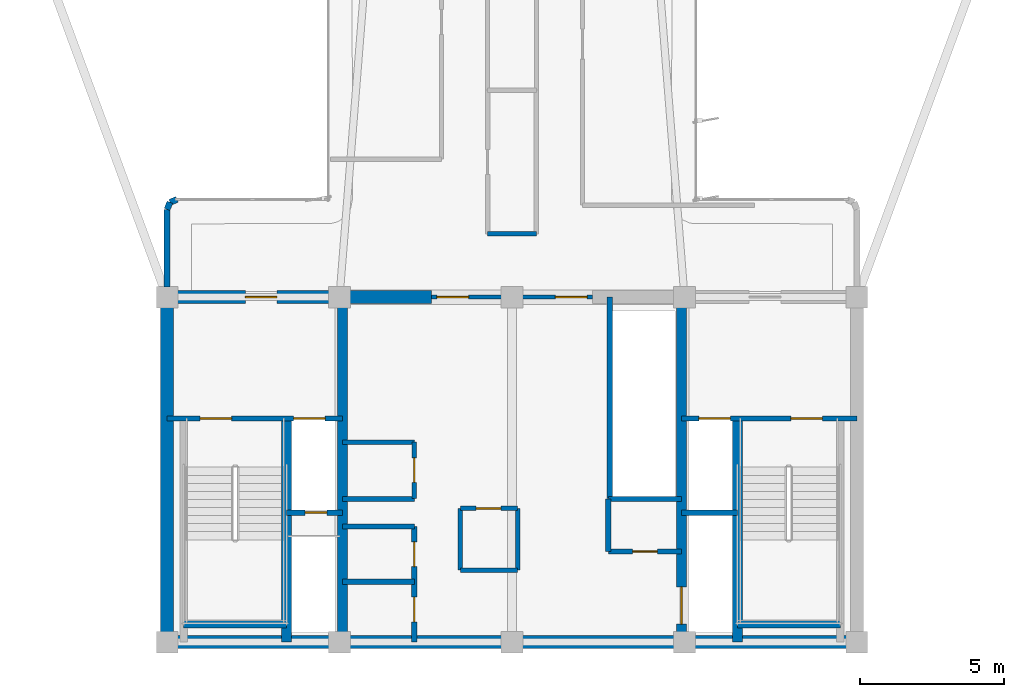
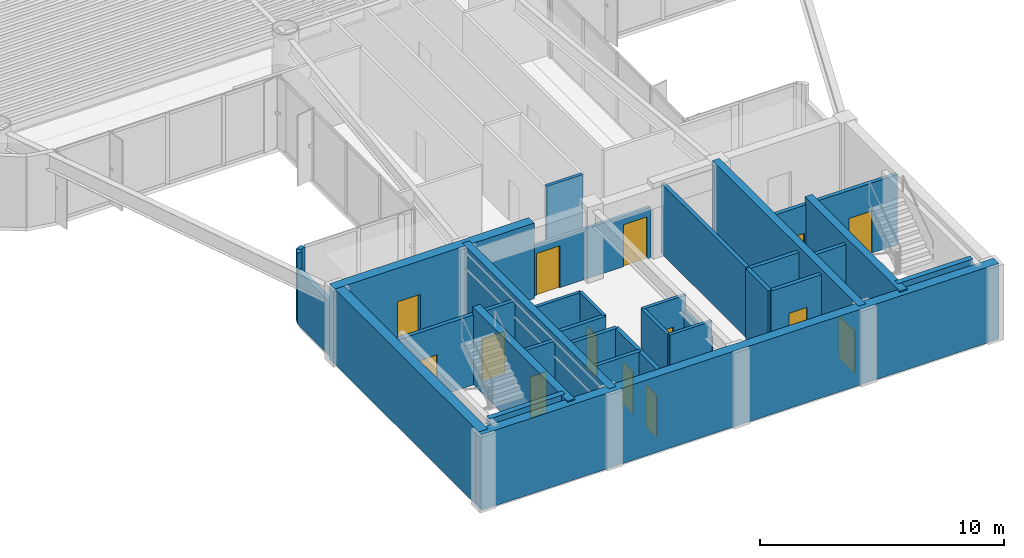
# One storey, part 9 of 13: 32 walls, 14 doors, 14 openings.
"""IFC4 building model written with IfcOpenShell, lengths in metres."""

from ifc_helpers import new_model, si_unit, direction, frame, frame_2d, origin, origin_2d, place, context, subcontext, project, spatial, rectangle, extrude, source, transform, mapped, material, layer, layer_set, type_object, element, fill, save


model = new_model("IFC4")

# Units and contexts
model_context = context("Model", 3, precision=1e-05, world=origin(), true_north=direction((0.0, 1.0)))
body_context = subcontext(model_context, "Body", "Model", "MODEL_VIEW")
ifc_project = project(units=[si_unit("LENGTHUNIT", "METRE"), si_unit("AREAUNIT", "SQUARE_METRE"), si_unit("VOLUMEUNIT", "CUBIC_METRE"), si_unit("PLANEANGLEUNIT", "RADIAN"), si_unit("MASSUNIT", "GRAM", prefix="KILO")], contexts=[model_context])

# Site, building, storey
site_placement = place(None, origin())
site = spatial("IfcSite", under=ifc_project, at=site_placement, CompositionType="ELEMENT")
building_placement = place(site_placement, origin())
building = spatial("IfcBuilding", under=site, at=building_placement, Name="Brelvock Crest Care Tower", CompositionType="ELEMENT")
storey_placement = place(building_placement, frame((0.0, 0.0, 190.43994140625)))
storey = spatial("IfcBuildingStorey", under=building, at=storey_placement, Name="L48", CompositionType="ELEMENT", Elevation=190.43994140625)

# Walls
ifc_material_1 = material(Name="Concrete S65 (65 MPa)", Category="concrete")
ifc_layer_1 = layer(ifc_material_1, 0.449951171875, Name="WL-CS3")
ifc_layer_set_1 = layer_set([ifc_layer_1], Name="Concrete S65 (65 MPa)")
wall_type_1 = type_object("IfcWallType", Name="WL-CS3", PredefinedType="SHEAR", material=ifc_layer_set_1)
wall_1_placement = place(storey_placement, frame((48.22509765625, 6.0, 0.0), z_axis=(0.0, 0.0, 1.0), x_axis=(-1.0, 0.0, 0.0)))
element("IfcWall", 1, at=wall_1_placement, inside=storey, type_object=wall_type_1, Name="L48 Core South Shear Wall", PredefinedType="SHEAR", context=body_context, shape_type="SweptSolid", body=[
    extrude(rectangle(XDim=24.4501953125, YDim=0.449951171875, at=frame_2d((12.22509765625, 0.0))), origin(), (0.0, 0.0, 1.0), 3.780029296875),
])
wall_2_placement = place(storey_placement, frame((24.0, 6.0, 0.0), z_axis=(0.0, 0.0, 1.0), x_axis=(0.0, 1.0, 0.0)))
element("IfcWall", 2, at=wall_2_placement, inside=storey, type_object=wall_type_1, Name="L48 Core West Shear Wall", PredefinedType="SHEAR", context=body_context, shape_type="SweptSolid", body=[
    extrude(rectangle(XDim=12.0, YDim=0.449951171875, at=frame_2d((6.0, 0.0))), origin(), (0.0, 0.0, 1.0), 3.780029296875),
])

# Wall, opening, door
wall_3_placement = place(storey_placement, frame((23.77490234375, 18.0, 0.0), z_axis=(0.0, 0.0, 1.0), x_axis=(1.0, 0.0, 0.0)))
wall_3 = element("IfcWall", 3, at=wall_3_placement, inside=storey, type_object=wall_type_1, Name="L48 Core North-West Shear Wall", PredefinedType="SHEAR", context=body_context, shape_type="SweptSolid", body=[
    extrude(rectangle(XDim=9.425048828125, YDim=0.449951171875, at=frame_2d((4.71240234375, 0.0))), origin(), (0.0, 0.0, 1.0), 3.780029296875),
])
opening_1_placement = place(wall_3_placement, frame((2.949951171875, 0.0, 0.0)))
opening_1 = element("IfcOpeningElement", 4, at=opening_1_placement, cuts=wall_3, Name="Opening FD-1", PredefinedType="OPENING", context=body_context, shape_type="SweptSolid", body=[
    extrude(rectangle(XDim=1.10009765625, YDim=2.10009765625, at=origin_2d()), frame((0.550048828125, 0.23486328125, 1.050048828125), z_axis=(0.0, -1.0, 0.0), x_axis=(1.0, 0.0, 0.0)), (0.0, 0.0, 1.0), 0.469970703125),
])
ifc_material_2 = material(Name="Steel Grade 350", Category="steel")
door_type_1 = type_object("IfcDoorType", Name="DR-FFL1", OperationType="NOTDEFINED", PredefinedType="DOOR", material=ifc_material_2)
shared_shape_1 = source(origin(), body_context, "Body", "SweptSolid", [
    extrude(rectangle(XDim=1.10009765625, YDim=2.10009765625, at=origin_2d()), frame((0.550048828125, 0.02490234375, 1.050048828125), z_axis=(0.0, -1.0, 0.0), x_axis=(1.0, 0.0, 0.0)), (0.0, 0.0, 1.0), 0.050048828125),
])
door_1_placement = place(opening_1_placement, origin())
door_1 = element("IfcDoor", 5, at=door_1_placement, inside=storey, type_object=door_type_1, Name="L48 Firefighting Lobby FFL-1 Exit Door", OperationType="SINGLE_SWING_LEFT", OverallHeight=2.10009765625, OverallWidth=1.10009765625, PredefinedType="DOOR", context=body_context, shape_type="MappedRepresentation", body=[
    mapped(shared_shape_1, transform((0.0, 0.0, 0.0), x_axis=(1.0, 0.0, 0.0), y_axis=(0.0, 1.0, 0.0), z_axis=(0.0, 0.0, 1.0), scale=1.0)),
])
fill(opening_1, door_1)

# Wall
ifc_material_3 = material(Name="Concrete S80 (80 MPa)", Category="concrete")
ifc_layer_2 = layer(ifc_material_3, 0.35009765625, Name="WL-CS5")
ifc_layer_set_2 = layer_set([ifc_layer_2], Name="Concrete S80 (80 MPa)")
wall_type_2 = type_object("IfcWallType", Name="WL-CS5", PredefinedType="SHEAR", material=ifc_layer_set_2)
wall_4_placement = place(storey_placement, frame((30.10009765625, 6.0, 0.0), z_axis=(0.0, 0.0, 1.0), x_axis=(0.0, 1.0, 0.0)))
element("IfcWall", 6, at=wall_4_placement, inside=storey, type_object=wall_type_2, Name="L48 Core Internal Web Wall West", PredefinedType="SHEAR", context=body_context, shape_type="SweptSolid", body=[
    extrude(rectangle(XDim=12.0, YDim=0.35009765625, at=frame_2d((6.0, 0.0))), origin(), (0.0, 0.0, 1.0), 3.780029296875),
])

# Wall, opening, door
wall_5_placement = place(storey_placement, frame((41.89990234375, 18.0, 0.0), z_axis=(0.0, 0.0, 1.0), x_axis=(0.0, -1.0, 0.0)))
wall_5 = element("IfcWall", 7, at=wall_5_placement, inside=storey, type_object=wall_type_2, Name="L48 Core Internal Web Wall East", PredefinedType="SHEAR", context=body_context, shape_type="SweptSolid", body=[
    extrude(rectangle(XDim=12.0, YDim=0.35009765625, at=frame_2d((6.0, 0.0))), origin(), (0.0, 0.0, 1.0), 3.780029296875),
])
opening_2_placement = place(wall_5_placement, frame((10.080078125, 0.0, 0.0)))
opening_2 = element("IfcOpeningElement", 8, at=opening_2_placement, cuts=wall_5, Name="Opening LD-S", PredefinedType="OPENING", context=body_context, shape_type="SweptSolid", body=[
    extrude(rectangle(XDim=1.300048828125, YDim=2.10009765625, at=origin_2d()), frame((0.64990234375, 0.18505859375, 1.050048828125), z_axis=(0.0, -1.0, 0.0), x_axis=(1.0, 0.0, 0.0)), (0.0, 0.0, 1.0), 0.3701171875),
])
door_type_2 = type_object("IfcDoorType", Name="DR-LDS1", OperationType="NOTDEFINED", PredefinedType="DOOR", material=ifc_material_2)
shared_shape_2 = source(origin(), body_context, "Body", "SweptSolid", [
    extrude(rectangle(XDim=1.300048828125, YDim=2.10009765625, at=origin_2d()), frame((0.64990234375, 0.02490234375, 1.050048828125), z_axis=(0.0, -1.0, 0.0), x_axis=(1.0, 0.0, 0.0)), (0.0, 0.0, 1.0), 0.050048828125),
])
door_2_placement = place(opening_2_placement, origin())
door_2 = element("IfcDoor", 9, at=door_2_placement, inside=storey, type_object=door_type_2, Name="L48 Clinical Bed Lift SL-1 Landing Door", OperationType="SLIDING_TO_LEFT", OverallHeight=2.10009765625, OverallWidth=1.300048828125, PredefinedType="DOOR", context=body_context, shape_type="MappedRepresentation", body=[
    mapped(shared_shape_2, transform((0.0, 0.0, 0.0), x_axis=(1.0, 0.0, 0.0), y_axis=(0.0, 1.0, 0.0), z_axis=(0.0, 0.0, 1.0), scale=1.0)),
])
fill(opening_2, door_2)

# Walls
for number, where, z_axis, x_axis, name in (
    (10, (28.14990234375, 6.0, 0.0), (0.0, 0.0, 1.0), (0.0, 1.0, 0.0), "L48 Core Stair ST-1 East Shear Wall"),
    (11, (43.85009765625, 6.0, 0.0), (0.0, 0.0, 1.0), (0.0, 1.0, 0.0), "L48 Core Stair ST-2 West Shear Wall"),
):
    element("IfcWall", number, at=place(storey_placement, frame(where, z_axis=z_axis, x_axis=x_axis)), inside=storey, type_object=wall_type_2, Name=name, PredefinedType="SHEAR", context=body_context, shape_type="SweptSolid", body=[
        extrude(rectangle(XDim=7.780029296875, YDim=0.35009765625, at=frame_2d((3.89013671875, 0.0))), origin(), (0.0, 0.0, 1.0), 3.85009765625),
    ])
ifc_layer_3 = layer(ifc_material_3, 0.25, Name="WL-CS6")
ifc_layer_set_3 = layer_set([ifc_layer_3], Name="Concrete S80 (80 MPa)")
wall_type_3 = type_object("IfcWallType", Name="WL-CS6", PredefinedType="SHEAR", material=ifc_layer_set_3)
for number, where, z_axis, x_axis, name in (
    (12, (24.580078125, 6.6201171875, 0.0), (0.0, 0.0, 1.0), (1.0, 0.0, 0.0), "L48 Core Stair ST-1 South Shear Wall"),
    (13, (43.85009765625, 6.6201171875, 0.0), (0.0, 0.0, 1.0), (1.0, 0.0, 0.0), "L48 Core Stair ST-2 South Shear Wall"),
):
    element("IfcWall", number, at=place(storey_placement, frame(where, z_axis=z_axis, x_axis=x_axis)), inside=storey, type_object=wall_type_3, Name=name, PredefinedType="SHEAR", context=body_context, shape_type="SweptSolid", body=[
        extrude(rectangle(XDim=3.56982421875, YDim=0.25, at=frame_2d((1.784912109375, 0.0))), origin(), (0.0, 0.0, 1.0), 3.85009765625),
    ])
ifc_material_4 = material(Name="Precast concrete N40 (40 MPa)", Category="concrete")
ifc_layer_4 = layer(ifc_material_4, 0.215087890625, Name="WL-EX2")
ifc_layer_set_4 = layer_set([ifc_layer_4], Name="Precast concrete N40 (40 MPa)")
wall_type_4 = type_object("IfcWallType", Name="WL-EX2", PredefinedType="SOLIDWALL", material=ifc_layer_set_4)
wall_6_placement = place(storey_placement, frame((24.0, 18.35498046875, 0.0), z_axis=(0.0, 0.0, 1.0), x_axis=(0.0, 1.0, 0.0)))
element("IfcWall", 14, at=wall_6_placement, inside=storey, type_object=wall_type_4, Name="L48 Rounded Corner Wall 07", PredefinedType="SOLIDWALL", context=body_context, shape_type="SweptSolid", body=[
    extrude(rectangle(XDim=2.695068359375, YDim=0.215087890625, at=frame_2d((1.34765625, 0.0))), origin(), (0.0, 0.0, 1.0), 2.718017578125),
])
wall_7_placement = place(storey_placement, frame((24.0, 21.050048828125, 0.0), z_axis=(0.0, 0.0, 1.0), x_axis=(0.382673670509, 0.923883575944, 0.0)))
element("IfcWall", 15, at=wall_7_placement, inside=storey, type_object=wall_type_4, Name="L48 Rounded Corner Wall 08", PredefinedType="SOLIDWALL", context=body_context, shape_type="SweptSolid", body=[
    extrude(rectangle(XDim=0.26806640625, YDim=0.215087890625, at=frame_2d((0.134033203125, 0.0))), origin(), (0.0, 0.0, 1.0), 3.530029296875),
])
wall_8_placement = place(storey_placement, frame((24.1025390625, 21.297607421875, 0.0), z_axis=(0.0, 0.0, 1.0), x_axis=(0.924205486139, 0.381895560841, 0.0)))
element("IfcWall", 16, at=wall_8_placement, inside=storey, type_object=wall_type_4, Name="L48 Rounded Corner Wall 09", PredefinedType="SOLIDWALL", context=body_context, shape_type="SweptSolid", body=[
    extrude(rectangle(XDim=0.267822265625, YDim=0.215087890625, at=frame_2d((0.1337890625, 0.0))), origin(), (0.0, 0.0, 1.0), 3.530029296875),
])
ifc_material_5 = material(Name="Masonry Blockwork Acoustic Partition", Category="masonry")
ifc_layer_5 = layer(ifc_material_5, 0.14990234375, Name="WL-INT1")
ifc_layer_set_5 = layer_set([ifc_layer_5], Name="Masonry Blockwork Acoustic Partition")
wall_type_5 = type_object("IfcWallType", Name="WL-INT1", PredefinedType="PARTITIONING", material=ifc_layer_set_5)
wall_9_placement = place(storey_placement, frame((30.10009765625, 12.949951171875, 0.0), z_axis=(0.0, 0.0, 1.0), x_axis=(1.0, 0.0, 0.0)))
element("IfcWall", 17, at=wall_9_placement, inside=storey, type_object=wall_type_5, Name="L48 Interior Wall WL-CRCL-N2-L48", PredefinedType="PARTITIONING", context=body_context, shape_type="SweptSolid", body=[
    extrude(rectangle(XDim=2.5, YDim=0.14990234375, at=frame_2d((1.25, 0.0))), origin(), (0.0, 0.0, 1.0), 3.5),
])

# Wall, opening, door
wall_10_placement = place(storey_placement, frame((32.60009765625, 11.0, 0.0), z_axis=(0.0, 0.0, 1.0), x_axis=(0.0, 1.0, 0.0)))
wall_10 = element("IfcWall", 18, at=wall_10_placement, inside=storey, type_object=wall_type_5, Name="L48 Interior Wall WL-CRCL-E-L48", PredefinedType="PARTITIONING", context=body_context, shape_type="SweptSolid", body=[
    extrude(rectangle(XDim=1.949951171875, YDim=0.14990234375, at=frame_2d((0.97509765625, 0.0))), origin(), (0.0, 0.0, 1.0), 3.5),
])
opening_3_placement = place(wall_10_placement, frame((0.550048828125, 0.0, 0.0)))
opening_3 = element("IfcOpeningElement", 19, at=opening_3_placement, cuts=wall_10, Name="Opening ID-1", PredefinedType="OPENING", context=body_context, shape_type="SweptSolid", body=[
    extrude(rectangle(XDim=0.860107421875, YDim=2.10009765625, at=origin_2d()), frame((0.43017578125, 0.0849609375, 1.050048828125), z_axis=(0.0, -1.0, 0.0), x_axis=(1.0, 0.0, 0.0)), (0.0, 0.0, 1.0), 0.169921875),
])
ifc_material_6 = material(Name="Engineered Hardwood Timber", Category="wood")
door_type_3 = type_object("IfcDoorType", Name="DR-INT1", OperationType="NOTDEFINED", PredefinedType="DOOR", material=ifc_material_6)
shared_shape_3 = source(origin(), body_context, "Body", "SweptSolid", [
    extrude(rectangle(XDim=0.860107421875, YDim=2.10009765625, at=origin_2d()), frame((0.43017578125, 0.02490234375, 1.050048828125), z_axis=(0.0, -1.0, 0.0), x_axis=(1.0, 0.0, 0.0)), (0.0, 0.0, 1.0), 0.050048828125),
])
door_3_placement = place(opening_3_placement, origin())
door_3 = element("IfcDoor", 20, at=door_3_placement, inside=storey, type_object=door_type_3, Name="DR-CRCL1-L48", OperationType="SINGLE_SWING_LEFT", OverallHeight=2.10009765625, OverallWidth=0.860107421875, PredefinedType="DOOR", context=body_context, shape_type="MappedRepresentation", body=[
    mapped(shared_shape_3, transform((0.0, 0.0, 0.0), x_axis=(1.0, 0.0, 0.0), y_axis=(0.0, 1.0, 0.0), z_axis=(0.0, 0.0, 1.0), scale=1.0)),
])
fill(opening_3, door_3)

# Walls
wall_11_placement = place(storey_placement, frame((34.199951171875, 8.5, 0.0), z_axis=(0.0, 0.0, 1.0), x_axis=(1.0, 0.0, 0.0)))
element("IfcWall", 21, at=wall_11_placement, inside=storey, type_object=wall_type_5, Name="L48 Interior Wall WL-CRCM-S-L48", PredefinedType="PARTITIONING", context=body_context, shape_type="SweptSolid", body=[
    extrude(rectangle(XDim=2.0, YDim=0.14990234375, at=frame_2d((1.0, 0.0))), origin(), (0.0, 0.0, 1.0), 3.5),
])
wall_12_placement = place(storey_placement, frame((34.199951171875, 8.5, 0.0), z_axis=(0.0, 0.0, 1.0), x_axis=(0.0, 1.0, 0.0)))
element("IfcWall", 22, at=wall_12_placement, inside=storey, type_object=wall_type_5, Name="L48 Interior Wall WL-CRCM-W-L48", PredefinedType="PARTITIONING", context=body_context, shape_type="SweptSolid", body=[
    extrude(rectangle(XDim=2.14990234375, YDim=0.14990234375, at=frame_2d((1.074951171875, 0.0))), origin(), (0.0, 0.0, 1.0), 3.5),
])
wall_13_placement = place(storey_placement, frame((36.199951171875, 8.5, 0.0), z_axis=(0.0, 0.0, 1.0), x_axis=(0.0, 1.0, 0.0)))
element("IfcWall", 23, at=wall_13_placement, inside=storey, type_object=wall_type_5, Name="L48 Interior Wall WL-CRCM-E-L48", PredefinedType="PARTITIONING", context=body_context, shape_type="SweptSolid", body=[
    extrude(rectangle(XDim=2.14990234375, YDim=0.14990234375, at=frame_2d((1.074951171875, 0.0))), origin(), (0.0, 0.0, 1.0), 2.715087890625),
])

# Wall, opening, door
wall_14_placement = place(storey_placement, frame((34.199951171875, 10.64990234375, 0.0), z_axis=(0.0, 0.0, 1.0), x_axis=(1.0, 0.0, 0.0)))
wall_14 = element("IfcWall", 24, at=wall_14_placement, inside=storey, type_object=wall_type_5, Name="L48 Interior Wall WL-CRCM-N-L48", PredefinedType="PARTITIONING", context=body_context, shape_type="SweptSolid", body=[
    extrude(rectangle(XDim=2.0, YDim=0.14990234375, at=frame_2d((1.0, 0.0))), origin(), (0.0, 0.0, 1.0), 3.5),
])
opening_4_placement = place(wall_14_placement, frame((0.550048828125, 0.0, 0.0)))
opening_4 = element("IfcOpeningElement", 25, at=opening_4_placement, cuts=wall_14, Name="Opening ID-1", PredefinedType="OPENING", context=body_context, shape_type="SweptSolid", body=[
    extrude(rectangle(XDim=0.860107421875, YDim=2.10009765625, at=origin_2d()), frame((0.43017578125, 0.0849609375, 1.050048828125), z_axis=(0.0, -1.0, 0.0), x_axis=(1.0, 0.0, 0.0)), (0.0, 0.0, 1.0), 0.169921875),
])
door_4_placement = place(opening_4_placement, origin())
door_4 = element("IfcDoor", 26, at=door_4_placement, inside=storey, type_object=door_type_3, Name="DR-CRCM1-L48", OperationType="SINGLE_SWING_LEFT", OverallHeight=2.10009765625, OverallWidth=0.860107421875, PredefinedType="DOOR", context=body_context, shape_type="MappedRepresentation", body=[
    mapped(shared_shape_3, transform((0.0, 0.0, 0.0), x_axis=(1.0, 0.0, 0.0), y_axis=(0.0, 1.0, 0.0), z_axis=(0.0, 0.0, 1.0), scale=1.0)),
])
fill(opening_4, door_4)

# Wall, openings, doors
wall_15_placement = place(storey_placement, frame((33.199951171875, 18.0, 0.0), z_axis=(0.0, 0.0, 1.0), x_axis=(1.0, 0.0, 0.0)))
wall_15 = element("IfcWall", 27, at=wall_15_placement, inside=storey, type_object=wall_type_5, Name="L48 Interior Wall WL-CORE-NPORT-L48", PredefinedType="PARTITIONING", context=body_context, shape_type="SweptSolid", body=[
    extrude(rectangle(XDim=5.60009765625, YDim=0.14990234375, at=frame_2d((2.800048828125, 0.0))), origin(), (0.0, 0.0, 1.0), 2.51513671875),
])
opening_5_placement = place(wall_15_placement, frame((0.18994140625, 0.0, 0.0)))
opening_5 = element("IfcOpeningElement", 28, at=opening_5_placement, cuts=wall_15, Name="Opening FD-1", PredefinedType="OPENING", context=body_context, shape_type="SweptSolid", body=[
    extrude(rectangle(XDim=1.10009765625, YDim=2.10009765625, at=origin_2d()), frame((0.550048828125, 0.0849609375, 1.050048828125), z_axis=(0.0, -1.0, 0.0), x_axis=(1.0, 0.0, 0.0)), (0.0, 0.0, 1.0), 0.169921875),
])
opening_6_placement = place(wall_15_placement, frame((4.31005859375, 0.0, 0.0)))
opening_6 = element("IfcOpeningElement", 29, at=opening_6_placement, cuts=wall_15, Name="Opening FD-1", PredefinedType="OPENING", context=body_context, shape_type="SweptSolid", body=[
    extrude(rectangle(XDim=1.10009765625, YDim=2.10009765625, at=origin_2d()), frame((0.550048828125, 0.0849609375, 1.050048828125), z_axis=(0.0, -1.0, 0.0), x_axis=(1.0, 0.0, 0.0)), (0.0, 0.0, 1.0), 0.169921875),
])
door_5_placement = place(opening_5_placement, origin())
door_5 = element("IfcDoor", 30, at=door_5_placement, inside=storey, type_object=door_type_1, Name="L48 Lift Lobby North Smoke Door West", OperationType="SINGLE_SWING_LEFT", OverallHeight=2.10009765625, OverallWidth=1.10009765625, PredefinedType="DOOR", context=body_context, shape_type="MappedRepresentation", body=[
    mapped(shared_shape_1, transform((0.0, 0.0, 0.0), x_axis=(1.0, 0.0, 0.0), y_axis=(0.0, 1.0, 0.0), z_axis=(0.0, 0.0, 1.0), scale=1.0)),
])
fill(opening_5, door_5)
door_6_placement = place(opening_6_placement, origin())
door_6 = element("IfcDoor", 31, at=door_6_placement, inside=storey, type_object=door_type_1, Name="L48 Lift Lobby North Smoke Door East", OperationType="SINGLE_SWING_RIGHT", OverallHeight=2.10009765625, OverallWidth=1.10009765625, PredefinedType="DOOR", context=body_context, shape_type="MappedRepresentation", body=[
    mapped(shared_shape_1, transform((0.0, 0.0, 0.0), x_axis=(1.0, 0.0, 0.0), y_axis=(0.0, 1.0, 0.0), z_axis=(0.0, 0.0, 1.0), scale=1.0)),
])
fill(opening_6, door_6)

# Walls
ifc_material_7 = material(Name="Gypsum Plasterboard Partition", Category="gypsum")
ifc_layer_6 = layer(ifc_material_7, 0.159912109375, Name="WL-PLM1")
ifc_layer_set_6 = layer_set([ifc_layer_6], Name="Gypsum Plasterboard Partition")
wall_type_6 = type_object("IfcWallType", Name="WL-PLM1", PredefinedType="PLUMBINGWALL", material=ifc_layer_set_6)
wall_16_placement = place(storey_placement, frame((35.14990234375, 20.199951171875, 0.0), z_axis=(0.0, 0.0, 1.0), x_axis=(1.0, 0.0, 0.0)))
element("IfcWall", 32, at=wall_16_placement, inside=storey, type_object=wall_type_6, Name="L48 Interior Wall WL-BX-L48-ISWC-S", PredefinedType="PLUMBINGWALL", context=body_context, shape_type="SweptSolid", body=[
    extrude(rectangle(XDim=1.7001953125, YDim=0.159912109375, at=frame_2d((0.85009765625, 0.0))), origin(), (0.0, 0.0, 1.0), 3.5),
])
ifc_layer_7 = layer(ifc_material_5, 0.179931640625, Name="WL-SHF1")
ifc_layer_set_7 = layer_set([ifc_layer_7], Name="Masonry Blockwork Acoustic Partition")
wall_type_7 = type_object("IfcWallType", Name="WL-SHF1", PredefinedType="PARTITIONING", material=ifc_layer_set_7)
wall_17_placement = place(storey_placement, frame((39.39990234375, 11.0, 0.0), z_axis=(0.0, 0.0, 1.0), x_axis=(0.0, 1.0, 0.0)))
element("IfcWall", 33, at=wall_17_placement, inside=storey, type_object=wall_type_7, Name="L48 Interior Wall WL-PLH-SHF-L48", PredefinedType="PARTITIONING", context=body_context, shape_type="SweptSolid", body=[
    extrude(rectangle(XDim=7.0, YDim=0.179931640625, at=frame_2d((3.5, 0.0))), origin(), (0.0, 0.0, 1.0), 3.5),
])
wall_18_placement = place(storey_placement, frame((30.10009765625, 10.97998046875, 0.0), z_axis=(0.0, 0.0, 1.0), x_axis=(1.0, 0.0, 0.0)))
element("IfcWall", 34, at=wall_18_placement, inside=storey, type_object=wall_type_7, Name="L48 Interior Wall WL-CSBW-N-L48", PredefinedType="PARTITIONING", context=body_context, shape_type="SweptSolid", body=[
    extrude(rectangle(XDim=2.5, YDim=0.179931640625, at=frame_2d((1.25, 0.0))), origin(), (0.0, 0.0, 1.0), 3.5),
])
wall_19_placement = place(storey_placement, frame((39.35009765625, 10.97998046875, 0.0), z_axis=(0.0, 0.0, 1.0), x_axis=(1.0, 0.0, 0.0)))
element("IfcWall", 35, at=wall_19_placement, inside=storey, type_object=wall_type_7, Name="L48 Interior Wall WL-CSBE-N-L48", PredefinedType="PARTITIONING", context=body_context, shape_type="SweptSolid", body=[
    extrude(rectangle(XDim=2.5498046875, YDim=0.179931640625, at=frame_2d((1.27490234375, 0.0))), origin(), (0.0, 0.0, 1.0), 3.5),
])
for number, where, z_axis, x_axis, name in (
    (36, (30.10009765625, 8.10009765625, 0.0), (0.0, 0.0, 1.0), (1.0, 0.0, 0.0), "L48 Interior Wall WL-CSBW-SP-L48"),
    (37, (30.10009765625, 10.02001953125, 0.0), (0.0, 0.0, 1.0), (1.0, 0.0, 0.0), "L48 Interior Wall WL-CSBW-N2-L48"),
):
    element("IfcWall", number, at=place(storey_placement, frame(where, z_axis=z_axis, x_axis=x_axis)), inside=storey, type_object=wall_type_7, Name=name, PredefinedType="PARTITIONING", context=body_context, shape_type="SweptSolid", body=[
        extrude(rectangle(XDim=2.5, YDim=0.179931640625, at=frame_2d((1.25, 0.0))), origin(), (0.0, 0.0, 1.0), 3.5),
    ])

# Wall, openings, doors
wall_20_placement = place(storey_placement, frame((32.60009765625, 6.0, 0.0), z_axis=(0.0, 0.0, 1.0), x_axis=(0.0, 1.0, 0.0)))
wall_20 = element("IfcWall", 38, at=wall_20_placement, inside=storey, type_object=wall_type_7, Name="L48 Interior Wall WL-CSBW-E-L48", PredefinedType="PARTITIONING", context=body_context, shape_type="SweptSolid", body=[
    extrude(rectangle(XDim=4.02001953125, YDim=0.179931640625, at=frame_2d((2.010009765625, 0.0))), origin(), (0.0, 0.0, 1.0), 3.5),
])
opening_7_placement = place(wall_20_placement, frame((0.699951171875, 0.0, 0.0)))
opening_7 = element("IfcOpeningElement", 39, at=opening_7_placement, cuts=wall_20, Name="Opening ID-1", PredefinedType="OPENING", context=body_context, shape_type="SweptSolid", body=[
    extrude(rectangle(XDim=0.860107421875, YDim=2.10009765625, at=origin_2d()), frame((0.43017578125, 0.10009765625, 1.050048828125), z_axis=(0.0, -1.0, 0.0), x_axis=(1.0, 0.0, 0.0)), (0.0, 0.0, 1.0), 0.199951171875),
])
opening_8_placement = place(wall_20_placement, frame((2.6201171875, 0.0, 0.0)))
opening_8 = element("IfcOpeningElement", 40, at=opening_8_placement, cuts=wall_20, Name="Opening ID-1", PredefinedType="OPENING", context=body_context, shape_type="SweptSolid", body=[
    extrude(rectangle(XDim=0.860107421875, YDim=2.10009765625, at=origin_2d()), frame((0.43017578125, 0.10009765625, 1.050048828125), z_axis=(0.0, -1.0, 0.0), x_axis=(1.0, 0.0, 0.0)), (0.0, 0.0, 1.0), 0.199951171875),
])
door_7_placement = place(opening_7_placement, origin())
door_7 = element("IfcDoor", 41, at=door_7_placement, inside=storey, type_object=door_type_3, Name="DR-CSBW1-L48", OperationType="SINGLE_SWING_LEFT", OverallHeight=2.10009765625, OverallWidth=0.860107421875, PredefinedType="DOOR", context=body_context, shape_type="MappedRepresentation", body=[
    mapped(shared_shape_3, transform((0.0, 0.0, 0.0), x_axis=(1.0, 0.0, 0.0), y_axis=(0.0, 1.0, 0.0), z_axis=(0.0, 0.0, 1.0), scale=1.0)),
])
fill(opening_7, door_7)
door_8_placement = place(opening_8_placement, origin())
door_8 = element("IfcDoor", 42, at=door_8_placement, inside=storey, type_object=door_type_3, Name="DR-CSBW2-L48", OperationType="SINGLE_SWING_RIGHT", OverallHeight=2.10009765625, OverallWidth=0.860107421875, PredefinedType="DOOR", context=body_context, shape_type="MappedRepresentation", body=[
    mapped(shared_shape_3, transform((0.0, 0.0, 0.0), x_axis=(1.0, 0.0, 0.0), y_axis=(0.0, 1.0, 0.0), z_axis=(0.0, 0.0, 1.0), scale=1.0)),
])
fill(opening_8, door_8)

# Wall
wall_21_placement = place(storey_placement, frame((39.35009765625, 9.14990234375, 0.0), z_axis=(0.0, 0.0, 1.0), x_axis=(0.0, 1.0, 0.0)))
element("IfcWall", 43, at=wall_21_placement, inside=storey, type_object=wall_type_7, Name="L48 Interior Wall WL-CSBE-W-L48", PredefinedType="PARTITIONING", context=body_context, shape_type="SweptSolid", body=[
    extrude(rectangle(XDim=1.830078125, YDim=0.179931640625, at=frame_2d((0.9150390625, 0.0))), origin(), (0.0, 0.0, 1.0), 3.5),
])

# Wall, opening, door
wall_22_placement = place(storey_placement, frame((39.35009765625, 9.14990234375, 0.0), z_axis=(0.0, 0.0, 1.0), x_axis=(1.0, 0.0, 0.0)))
wall_22 = element("IfcWall", 44, at=wall_22_placement, inside=storey, type_object=wall_type_7, Name="L48 Interior Wall WL-CSBE-S-L48", PredefinedType="PARTITIONING", context=body_context, shape_type="SweptSolid", body=[
    extrude(rectangle(XDim=2.5498046875, YDim=0.179931640625, at=frame_2d((1.27490234375, 0.0))), origin(), (0.0, 0.0, 1.0), 3.5),
])
opening_9_placement = place(wall_22_placement, frame((0.85009765625, 0.0, 0.0)))
opening_9 = element("IfcOpeningElement", 45, at=opening_9_placement, cuts=wall_22, Name="Opening ID-1", PredefinedType="OPENING", context=body_context, shape_type="SweptSolid", body=[
    extrude(rectangle(XDim=0.860107421875, YDim=2.10009765625, at=origin_2d()), frame((0.43017578125, 0.10009765625, 1.050048828125), z_axis=(0.0, -1.0, 0.0), x_axis=(1.0, 0.0, 0.0)), (0.0, 0.0, 1.0), 0.199951171875),
])
door_9_placement = place(opening_9_placement, origin())
door_9 = element("IfcDoor", 46, at=door_9_placement, inside=storey, type_object=door_type_3, Name="DR-CSBE-L48", OperationType="SINGLE_SWING_LEFT", OverallHeight=2.10009765625, OverallWidth=0.860107421875, PredefinedType="DOOR", context=body_context, shape_type="MappedRepresentation", body=[
    mapped(shared_shape_3, transform((0.0, 0.0, 0.0), x_axis=(1.0, 0.0, 0.0), y_axis=(0.0, 1.0, 0.0), z_axis=(0.0, 0.0, 1.0), scale=1.0)),
])
fill(opening_9, door_9)

# Wall, openings, doors
wall_23_placement = place(storey_placement, frame((24.0, 13.780029296875, 0.0), z_axis=(0.0, 0.0, 1.0), x_axis=(1.0, 0.0, 0.0)))
wall_23 = element("IfcWall", 47, at=wall_23_placement, inside=storey, type_object=wall_type_7, Name="L48 Interior Wall WL-ST1-N-L48", PredefinedType="PARTITIONING", context=body_context, shape_type="SweptSolid", body=[
    extrude(rectangle(XDim=6.10009765625, YDim=0.179931640625, at=frame_2d((3.050048828125, 0.0))), origin(), (0.0, 0.0, 1.0), 3.5),
])
opening_10_placement = place(wall_23_placement, frame((1.14990234375, 0.0, 0.0)))
opening_10 = element("IfcOpeningElement", 48, at=opening_10_placement, cuts=wall_23, Name="Opening SD-1", PredefinedType="OPENING", context=body_context, shape_type="SweptSolid", body=[
    extrude(rectangle(XDim=1.10009765625, YDim=2.10009765625, at=origin_2d()), frame((0.550048828125, 0.10009765625, 1.050048828125), z_axis=(0.0, -1.0, 0.0), x_axis=(1.0, 0.0, 0.0)), (0.0, 0.0, 1.0), 0.199951171875),
])
opening_11_placement = place(wall_23_placement, frame((4.39990234375, 0.0, 0.0)))
opening_11 = element("IfcOpeningElement", 49, at=opening_11_placement, cuts=wall_23, Name="Opening LD", PredefinedType="OPENING", context=body_context, shape_type="SweptSolid", body=[
    extrude(rectangle(XDim=1.10009765625, YDim=2.10009765625, at=origin_2d()), frame((0.550048828125, 0.10009765625, 1.050048828125), z_axis=(0.0, -1.0, 0.0), x_axis=(1.0, 0.0, 0.0)), (0.0, 0.0, 1.0), 0.199951171875),
])
door_type_4 = type_object("IfcDoorType", Name="DR-ST1", OperationType="NOTDEFINED", PredefinedType="DOOR", material=ifc_material_2)
shared_shape_4 = source(origin(), body_context, "Body", "SweptSolid", [
    extrude(rectangle(XDim=1.10009765625, YDim=2.10009765625, at=origin_2d()), frame((0.550048828125, 0.02490234375, 1.050048828125), z_axis=(0.0, -1.0, 0.0), x_axis=(1.0, 0.0, 0.0)), (0.0, 0.0, 1.0), 0.050048828125),
])
door_10_placement = place(opening_10_placement, origin())
door_10 = element("IfcDoor", 50, at=door_10_placement, inside=storey, type_object=door_type_4, Name="L48 Fire Stair ST-1 Door", OperationType="SINGLE_SWING_LEFT", OverallHeight=2.10009765625, OverallWidth=1.10009765625, PredefinedType="DOOR", context=body_context, shape_type="MappedRepresentation", body=[
    mapped(shared_shape_4, transform((0.0, 0.0, 0.0), x_axis=(1.0, 0.0, 0.0), y_axis=(0.0, 1.0, 0.0), z_axis=(0.0, 0.0, 1.0), scale=1.0)),
])
fill(opening_10, door_10)
door_type_5 = type_object("IfcDoorType", Name="DR-LD1", OperationType="NOTDEFINED", PredefinedType="DOOR", material=ifc_material_2)
shared_shape_5 = source(origin(), body_context, "Body", "SweptSolid", [
    extrude(rectangle(XDim=1.10009765625, YDim=2.10009765625, at=origin_2d()), frame((0.550048828125, 0.02490234375, 1.050048828125), z_axis=(0.0, -1.0, 0.0), x_axis=(1.0, 0.0, 0.0)), (0.0, 0.0, 1.0), 0.050048828125),
])
door_11_placement = place(opening_11_placement, origin())
door_11 = element("IfcDoor", 51, at=door_11_placement, inside=storey, type_object=door_type_5, Name="L48 Firefighting Lift FFL-1 Landing Door", OperationType="SLIDING_TO_LEFT", OverallHeight=2.10009765625, OverallWidth=1.10009765625, PredefinedType="DOOR", context=body_context, shape_type="MappedRepresentation", body=[
    mapped(shared_shape_5, transform((0.0, 0.0, 0.0), x_axis=(1.0, 0.0, 0.0), y_axis=(0.0, 1.0, 0.0), z_axis=(0.0, 0.0, 1.0), scale=1.0)),
])
fill(opening_11, door_11)

# Wall, opening, door
wall_24_placement = place(storey_placement, frame((28.14990234375, 10.5, 0.0), z_axis=(0.0, 0.0, 1.0), x_axis=(1.0, 0.0, 0.0)))
wall_24 = element("IfcWall", 52, at=wall_24_placement, inside=storey, type_object=wall_type_7, Name="L48 Interior Wall WL-FFH1-S-L48", PredefinedType="PARTITIONING", context=body_context, shape_type="SweptSolid", body=[
    extrude(rectangle(XDim=1.9501953125, YDim=0.179931640625, at=frame_2d((0.97509765625, 0.0))), origin(), (0.0, 0.0, 1.0), 3.5),
])
opening_12_placement = place(wall_24_placement, frame((0.64990234375, 0.0, 0.0)))
opening_12 = element("IfcOpeningElement", 53, at=opening_12_placement, cuts=wall_24, Name="Opening RD-1", PredefinedType="OPENING", context=body_context, shape_type="SweptSolid", body=[
    extrude(rectangle(XDim=0.760009765625, YDim=2.050048828125, at=origin_2d()), frame((0.3798828125, 0.10009765625, 1.02490234375), z_axis=(0.0, -1.0, 0.0), x_axis=(1.0, 0.0, 0.0)), (0.0, 0.0, 1.0), 0.199951171875),
])
door_type_6 = type_object("IfcDoorType", Name="DR-RIS1", OperationType="NOTDEFINED", PredefinedType="DOOR", material=ifc_material_2)
shared_shape_6 = source(origin(), body_context, "Body", "SweptSolid", [
    extrude(rectangle(XDim=0.760009765625, YDim=2.050048828125, at=origin_2d()), frame((0.3798828125, 0.02490234375, 1.02490234375), z_axis=(0.0, -1.0, 0.0), x_axis=(1.0, 0.0, 0.0)), (0.0, 0.0, 1.0), 0.050048828125),
])
door_12_placement = place(opening_12_placement, origin())
door_12 = element("IfcDoor", 54, at=door_12_placement, inside=storey, type_object=door_type_6, Name="L48 Wet Fire Riser Access Door", OperationType="SINGLE_SWING_LEFT", OverallHeight=2.050048828125, OverallWidth=0.760009765625, PredefinedType="DOOR", context=body_context, shape_type="MappedRepresentation", body=[
    mapped(shared_shape_6, transform((0.0, 0.0, 0.0), x_axis=(1.0, 0.0, 0.0), y_axis=(0.0, 1.0, 0.0), z_axis=(0.0, 0.0, 1.0), scale=1.0)),
])
fill(opening_12, door_12)

# Wall, openings, doors
wall_25_placement = place(storey_placement, frame((41.89990234375, 13.780029296875, 0.0), z_axis=(0.0, 0.0, 1.0), x_axis=(1.0, 0.0, 0.0)))
wall_25 = element("IfcWall", 55, at=wall_25_placement, inside=storey, type_object=wall_type_7, Name="L48 Interior Wall WL-ST2-N-L48", PredefinedType="PARTITIONING", context=body_context, shape_type="SweptSolid", body=[
    extrude(rectangle(XDim=6.10009765625, YDim=0.179931640625, at=frame_2d((3.050048828125, 0.0))), origin(), (0.0, 0.0, 1.0), 3.5),
])
opening_13_placement = place(wall_25_placement, frame((0.60009765625, 0.0, 0.0)))
opening_13 = element("IfcOpeningElement", 56, at=opening_13_placement, cuts=wall_25, Name="Opening LD", PredefinedType="OPENING", context=body_context, shape_type="SweptSolid", body=[
    extrude(rectangle(XDim=1.10009765625, YDim=2.10009765625, at=origin_2d()), frame((0.550048828125, 0.10009765625, 1.050048828125), z_axis=(0.0, -1.0, 0.0), x_axis=(1.0, 0.0, 0.0)), (0.0, 0.0, 1.0), 0.199951171875),
])
opening_14_placement = place(wall_25_placement, frame((3.800048828125, 0.0, 0.0)))
opening_14 = element("IfcOpeningElement", 57, at=opening_14_placement, cuts=wall_25, Name="Opening SD-1", PredefinedType="OPENING", context=body_context, shape_type="SweptSolid", body=[
    extrude(rectangle(XDim=1.10009765625, YDim=2.10009765625, at=origin_2d()), frame((0.550048828125, 0.10009765625, 1.050048828125), z_axis=(0.0, -1.0, 0.0), x_axis=(1.0, 0.0, 0.0)), (0.0, 0.0, 1.0), 0.199951171875),
])
door_13_placement = place(opening_14_placement, origin())
door_13 = element("IfcDoor", 58, at=door_13_placement, inside=storey, type_object=door_type_4, Name="L48 Fire Stair ST-2 Door", OperationType="SINGLE_SWING_RIGHT", OverallHeight=2.10009765625, OverallWidth=1.10009765625, PredefinedType="DOOR", context=body_context, shape_type="MappedRepresentation", body=[
    mapped(shared_shape_4, transform((0.0, 0.0, 0.0), x_axis=(1.0, 0.0, 0.0), y_axis=(0.0, 1.0, 0.0), z_axis=(0.0, 0.0, 1.0), scale=1.0)),
])
fill(opening_14, door_13)
door_14_placement = place(opening_13_placement, origin())
door_14 = element("IfcDoor", 59, at=door_14_placement, inside=storey, type_object=door_type_5, Name="L48 Firefighting Lift FFL-2 Landing Door", OperationType="SLIDING_TO_RIGHT", OverallHeight=2.10009765625, OverallWidth=1.10009765625, PredefinedType="DOOR", context=body_context, shape_type="MappedRepresentation", body=[
    mapped(shared_shape_5, transform((0.0, 0.0, 0.0), x_axis=(1.0, 0.0, 0.0), y_axis=(0.0, 1.0, 0.0), z_axis=(0.0, 0.0, 1.0), scale=1.0)),
])
fill(opening_13, door_14)

# Wall
wall_26_placement = place(storey_placement, frame((41.89990234375, 10.5, 0.0), z_axis=(0.0, 0.0, 1.0), x_axis=(1.0, 0.0, 0.0)))
element("IfcWall", 60, at=wall_26_placement, inside=storey, type_object=wall_type_7, Name="L48 Interior Wall WL-FFH2-S-L48", PredefinedType="PARTITIONING", context=body_context, shape_type="SweptSolid", body=[
    extrude(rectangle(XDim=1.9501953125, YDim=0.179931640625, at=frame_2d((0.97509765625, 0.0))), origin(), (0.0, 0.0, 1.0), 3.5),
])

save(model, "model.ifc")
